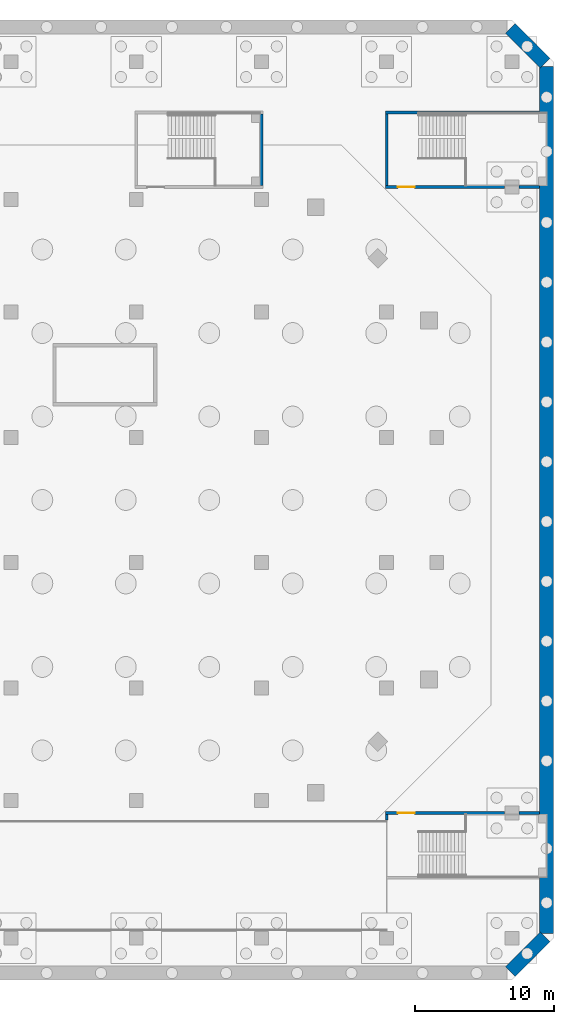
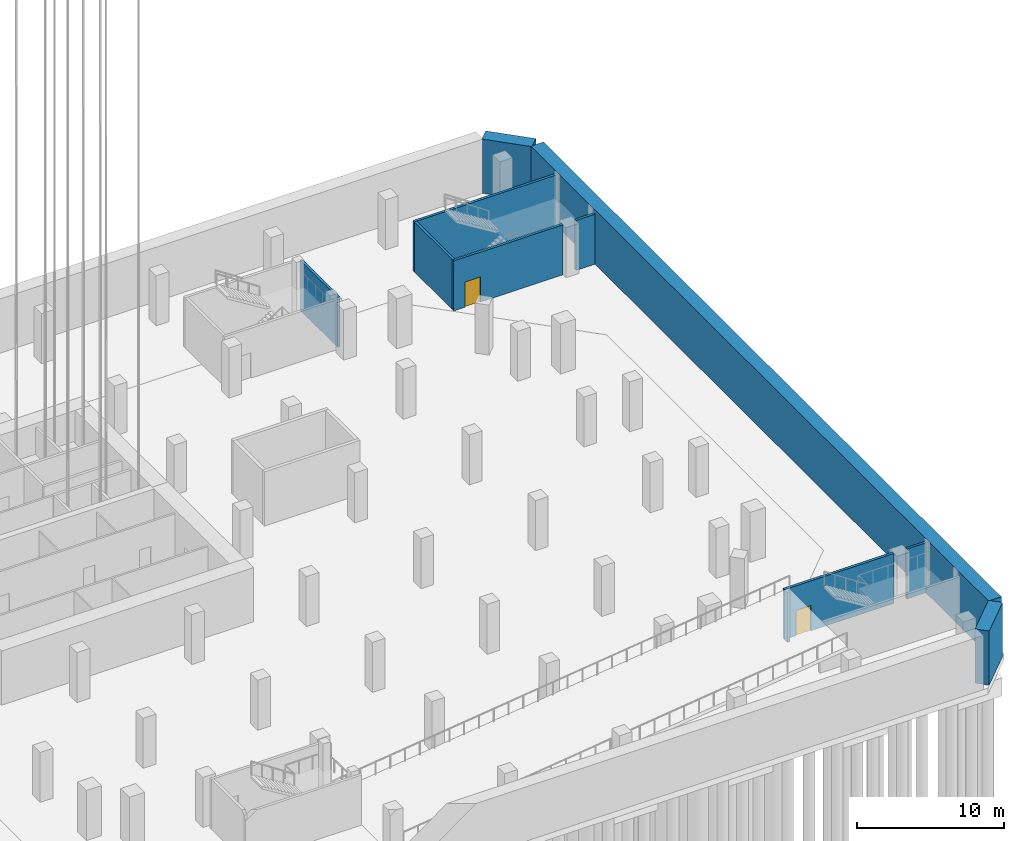
# One storey, part 23 of 30: 11 walls, 2 doors, 2 openings.
"""IFC4 building model written with IfcOpenShell, lengths in metres."""

from ifc_helpers import new_model, si_unit, direction, frame, frame_2d, origin, place, context, subcontext, project, spatial, rectangle, extrude, material, layer, layer_set, type_object, element, fill, save


model = new_model("IFC4")

# Units and contexts
model_context = context("Model", 3, precision=1e-05, world=origin(), true_north=direction((0.0, 1.0)))
body_context = subcontext(model_context, "Body", "Model", "MODEL_VIEW")
ifc_project = project(units=[si_unit("LENGTHUNIT", "METRE"), si_unit("AREAUNIT", "SQUARE_METRE"), si_unit("VOLUMEUNIT", "CUBIC_METRE"), si_unit("PLANEANGLEUNIT", "RADIAN"), si_unit("MASSUNIT", "GRAM", prefix="KILO")], contexts=[model_context])

# Site, building, storey
site_placement = place(None, origin())
site = spatial("IfcSite", under=ifc_project, at=site_placement, CompositionType="ELEMENT")
building_placement = place(site_placement, origin())
building = spatial("IfcBuilding", under=site, at=building_placement, Name="Cinnabar Reach Civic Tower", CompositionType="ELEMENT")
storey_placement = place(building_placement, frame((0.0, 0.0, -14.0)))
storey = spatial("IfcBuildingStorey", under=building, at=storey_placement, Name="B3", CompositionType="ELEMENT", Elevation=-14.0)

# Walls
ifc_material_1 = material(Name="Concrete C70", Category="concrete")
ifc_layer_1 = layer(ifc_material_1, 1.0)
ifc_layer_set_1 = layer_set([ifc_layer_1], Name="Basement wall 1000 EI 180")
wall_type_1 = type_object("IfcWallType", Name="Basement wall 1000 EI 180", PredefinedType="SOLIDWALL", material=ifc_layer_set_1)
wall_1_placement = place(storey_placement, frame((62.9004, 56.3924, 0.0), z_axis=(0.0, 0.0, 1.0), x_axis=(0.707106781187, -0.707106781187, 0.0)))
element("IfcWall", 1, at=wall_1_placement, inside=storey, type_object=wall_type_1, Name="Basement wall B3 5", PredefinedType="SOLIDWALL", context=body_context, shape_type="SweptSolid", body=[
    extrude(rectangle(XDim=3.5242, YDim=1.0, at=frame_2d((1.7621, 0.0))), origin(), (0.0, 0.0, 1.0), 4.5),
])
wall_2_placement = place(storey_placement, frame((65.5, 53.6408, 0.0), z_axis=(0.0, 0.0, 1.0), x_axis=(0.0, -1.0, 0.0)))
element("IfcWall", 2, at=wall_2_placement, inside=storey, type_object=wall_type_1, Name="Basement wall B3 6", PredefinedType="SOLIDWALL", context=body_context, shape_type="SweptSolid", body=[
    extrude(rectangle(XDim=62.2816, YDim=1.0, at=frame_2d((31.1408, 0.0))), origin(), (0.0, 0.0, 1.0), 4.5),
])
wall_3_placement = place(storey_placement, frame((65.3924, -8.9004, 0.0), z_axis=(0.0, 0.0, 1.0), x_axis=(-0.707106781187, -0.707106781187, 0.0)))
element("IfcWall", 3, at=wall_3_placement, inside=storey, type_object=wall_type_1, Name="Basement wall B3 7", PredefinedType="SOLIDWALL", context=body_context, shape_type="SweptSolid", body=[
    extrude(rectangle(XDim=3.5242, YDim=1.0, at=frame_2d((1.7621, 0.0))), origin(), (0.0, 0.0, 1.0), 4.5),
])
ifc_material_2 = material(Name="Concrete C40", Category="concrete")
ifc_layer_2 = layer(ifc_material_2, 0.2)
ifc_layer_set_2 = layer_set([ifc_layer_2], Name="Podium stair shaft wall 200 EI 120")
wall_type_2 = type_object("IfcWallType", Name="Podium stair shaft wall 200 EI 120", PredefinedType="SOLIDWALL", material=ifc_layer_set_2)
wall_4_placement = place(storey_placement, frame((54.0, -0.5, 0.0), z_axis=(0.0, 0.0, 1.0), x_axis=(0.0, 1.0, 0.0)))
element("IfcWall", 4, at=wall_4_placement, inside=storey, type_object=wall_type_2, Name="Wall B3 13", PredefinedType="SOLIDWALL", context=body_context, shape_type="SweptSolid", body=[
    extrude(rectangle(XDim=0.4, YDim=0.2, at=frame_2d((0.2, 0.0))), origin(), (0.0, 0.0, 1.0), 4.15),
])

# Wall, opening, door
wall_5_placement = place(storey_placement, frame((53.9, 0.0, 0.0), z_axis=(0.0, 0.0, 1.0), x_axis=(1.0, 0.0, 0.0)))
wall_5 = element("IfcWall", 5, at=wall_5_placement, inside=storey, type_object=wall_type_2, Name="Wall B3 14", PredefinedType="SOLIDWALL", context=body_context, shape_type="SweptSolid", body=[
    extrude(rectangle(XDim=8.58, YDim=0.2, at=frame_2d((4.29, 0.0))), origin(), (0.0, 0.0, 1.0), 4.15),
])
opening_1_placement = place(wall_5_placement, frame((0.9, 0.0, 0.0)))
opening_1 = element("IfcOpeningElement", 6, at=opening_1_placement, cuts=wall_5, Name="Opening D1324", PredefinedType="OPENING", context=body_context, shape_type="SweptSolid", body=[
    extrude(rectangle(XDim=1.2, YDim=2.1, at=frame_2d((0.6, 1.05))), frame((0.0, 0.11, 0.0), z_axis=(0.0, -1.0, 0.0), x_axis=(1.0, 0.0, 0.0)), (0.0, 0.0, 1.0), 0.22),
])
ifc_material_3 = material(Name="Painted steel door leaf", Category="steel")
door_type = type_object("IfcDoorType", Name="Podium single door 1200x2100", OperationType="SINGLE_SWING_LEFT", PredefinedType="DOOR", material=ifc_material_3)
door_1_placement = place(opening_1_placement, frame((1.2, 0.0, 0.0), z_axis=(0.0, 0.0, 1.0), x_axis=(-1.0, 0.0, 0.0)))
door_1 = element("IfcDoor", 7, at=door_1_placement, inside=storey, type_object=door_type, Name="Door D1324", OperationType="SINGLE_SWING_RIGHT", OverallHeight=2.1, OverallWidth=1.2, PredefinedType="DOOR", context=body_context, shape_type="SweptSolid", body=[
    extrude(rectangle(XDim=1.2, YDim=2.1, at=frame_2d((0.6, 1.05))), frame((0.0, 0.025, 0.0), z_axis=(0.0, -1.0, 0.0), x_axis=(1.0, 0.0, 0.0)), (0.0, 0.0, 1.0), 0.05),
])
fill(opening_1, door_1)

# Walls
wall_6_placement = place(storey_placement, frame((63.52, 0.0, 0.0), z_axis=(0.0, 0.0, 1.0), x_axis=(1.0, 0.0, 0.0)))
element("IfcWall", 8, at=wall_6_placement, inside=storey, type_object=wall_type_2, Name="Wall B3 15", PredefinedType="SOLIDWALL", context=body_context, shape_type="SweptSolid", body=[
    extrude(rectangle(XDim=1.48, YDim=0.2, at=frame_2d((0.74, 0.0))), origin(), (0.0, 0.0, 1.0), 4.15),
])
wall_7_placement = place(storey_placement, frame((54.0, 45.1, 0.0), z_axis=(0.0, 0.0, 1.0), x_axis=(0.0, 1.0, 0.0)))
element("IfcWall", 9, at=wall_7_placement, inside=storey, type_object=wall_type_2, Name="Wall B3 17", PredefinedType="SOLIDWALL", context=body_context, shape_type="SweptSolid", body=[
    extrude(rectangle(XDim=5.15, YDim=0.2, at=frame_2d((2.575, 0.0))), origin(), (0.0, 0.0, 1.0), 4.15),
])
wall_8_placement = place(storey_placement, frame((53.9, 50.35, 0.0), z_axis=(0.0, 0.0, 1.0), x_axis=(1.0, 0.0, 0.0)))
element("IfcWall", 10, at=wall_8_placement, inside=storey, type_object=wall_type_2, Name="Wall B3 18", PredefinedType="SOLIDWALL", context=body_context, shape_type="SweptSolid", body=[
    extrude(rectangle(XDim=11.1, YDim=0.2, at=frame_2d((5.55, 0.0))), origin(), (0.0, 0.0, 1.0), 4.15),
])

# Wall, opening, door
wall_9_placement = place(storey_placement, frame((53.9, 45.0, 0.0), z_axis=(0.0, 0.0, 1.0), x_axis=(1.0, 0.0, 0.0)))
wall_9 = element("IfcWall", 11, at=wall_9_placement, inside=storey, type_object=wall_type_2, Name="Wall B3 19", PredefinedType="SOLIDWALL", context=body_context, shape_type="SweptSolid", body=[
    extrude(rectangle(XDim=8.58, YDim=0.2, at=frame_2d((4.29, 0.0))), origin(), (0.0, 0.0, 1.0), 4.15),
])
opening_2_placement = place(wall_9_placement, frame((0.9, 0.0, 0.0)))
opening_2 = element("IfcOpeningElement", 12, at=opening_2_placement, cuts=wall_9, Name="Opening D1325", PredefinedType="OPENING", context=body_context, shape_type="SweptSolid", body=[
    extrude(rectangle(XDim=1.2, YDim=2.1, at=frame_2d((0.6, 1.05))), frame((0.0, 0.11, 0.0), z_axis=(0.0, -1.0, 0.0), x_axis=(1.0, 0.0, 0.0)), (0.0, 0.0, 1.0), 0.22),
])
door_2_placement = place(opening_2_placement, origin())
door_2 = element("IfcDoor", 13, at=door_2_placement, inside=storey, type_object=door_type, Name="Door D1325", OperationType="SINGLE_SWING_RIGHT", OverallHeight=2.1, OverallWidth=1.2, PredefinedType="DOOR", context=body_context, shape_type="SweptSolid", body=[
    extrude(rectangle(XDim=1.2, YDim=2.1, at=frame_2d((0.6, 1.05))), frame((0.0, 0.025, 0.0), z_axis=(0.0, -1.0, 0.0), x_axis=(1.0, 0.0, 0.0)), (0.0, 0.0, 1.0), 0.05),
])
fill(opening_2, door_2)

# Walls
wall_10_placement = place(storey_placement, frame((63.52, 45.0, 0.0), z_axis=(0.0, 0.0, 1.0), x_axis=(1.0, 0.0, 0.0)))
element("IfcWall", 14, at=wall_10_placement, inside=storey, type_object=wall_type_2, Name="Wall B3 20", PredefinedType="SOLIDWALL", context=body_context, shape_type="SweptSolid", body=[
    extrude(rectangle(XDim=1.48, YDim=0.2, at=frame_2d((0.74, 0.0))), origin(), (0.0, 0.0, 1.0), 4.15),
])
wall_11_placement = place(storey_placement, frame((45.0, 45.1, 0.0), z_axis=(0.0, 0.0, 1.0), x_axis=(0.0, 1.0, 0.0)))
element("IfcWall", 15, at=wall_11_placement, inside=storey, type_object=wall_type_2, Name="Wall B3 22", PredefinedType="SOLIDWALL", context=body_context, shape_type="SweptSolid", body=[
    extrude(rectangle(XDim=5.15, YDim=0.2, at=frame_2d((2.575, 0.0))), origin(), (0.0, 0.0, 1.0), 4.15),
])

save(model, "model.ifc")
